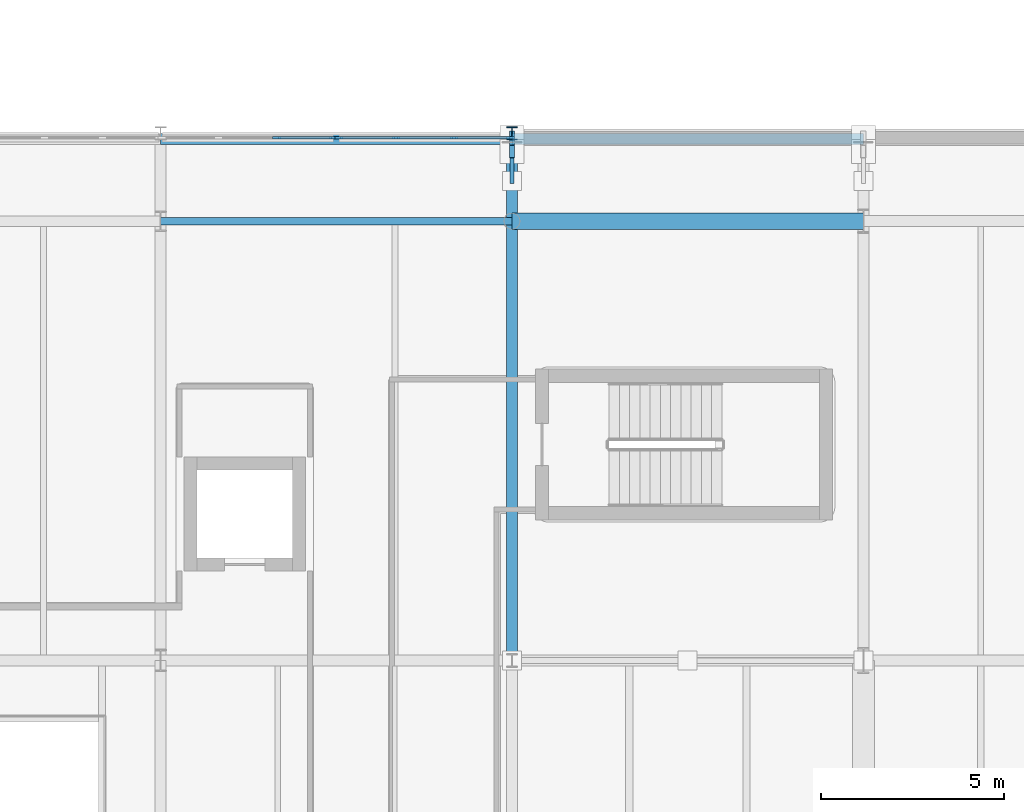
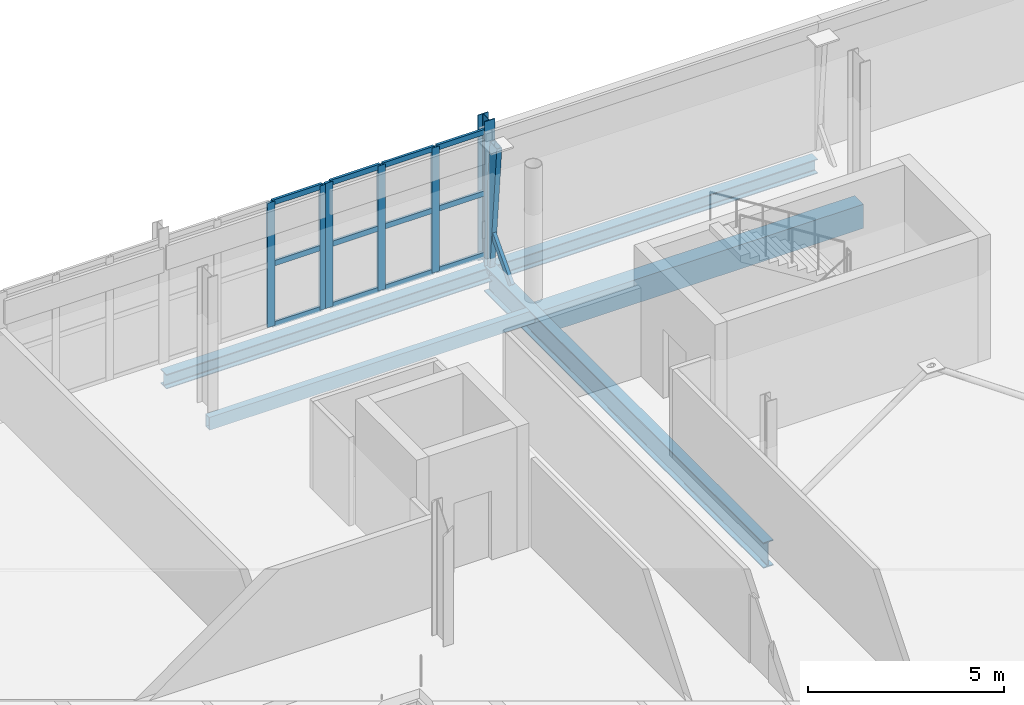
# One storey, part 32 of 90: 21 members, 5 beams, 2 elements without a shape of their own.
"""IFC4 building model written with IfcOpenShell, lengths in metres."""

from ifc_helpers import new_model, si_unit, direction, frame, origin, origin_2d, place, context, subcontext, project, spatial, rectangle, hollow_rectangle, i_section, extrude, material, layer, layer_set, material_profile, profile_set, type_object, element, aggregate, save


model = new_model("IFC4")

# Units and contexts
model_context = context("Model", 3, precision=1e-05, world=origin(), true_north=direction((0.0, 1.0)))
body_context = subcontext(model_context, "Body", "Model", "MODEL_VIEW")
ifc_project = project(units=[si_unit("LENGTHUNIT", "METRE"), si_unit("AREAUNIT", "SQUARE_METRE"), si_unit("VOLUMEUNIT", "CUBIC_METRE"), si_unit("PLANEANGLEUNIT", "RADIAN"), si_unit("MASSUNIT", "GRAM", prefix="KILO")], contexts=[model_context])

# Site, building, storey
site_placement = place(None, origin())
site = spatial("IfcSite", under=ifc_project, at=site_placement, CompositionType="ELEMENT")
building_placement = place(site_placement, origin())
building = spatial("IfcBuilding", under=site, at=building_placement, Name="Zereglee Splitstone Museum", CompositionType="ELEMENT")
storey_placement = place(building_placement, frame((0.0, 0.0, 4.800048828125)))
storey = spatial("IfcBuildingStorey", under=building, at=storey_placement, Name="L01", CompositionType="ELEMENT", Elevation=4.800048828125)

# Curtain wall, members
ifc_material_1 = material(Name="Triple-glazed low-E argon glass and bronze-anodised aluminium", Category="aluminium")
ifc_layer_1 = layer(ifc_material_1, 0.219970703125)
ifc_layer_set_1 = layer_set([ifc_layer_1], Name="Triple-glazed low-E argon glass and bronze-anodised aluminium")
curtain_wall_type_1 = type_object("IfcCurtainWallType", Name="CW-0476-390", PredefinedType="USERDEFINED", material=ifc_layer_set_1)
curtain_wall_1_placement = place(storey_placement, origin())
curtain_wall_1 = element("IfcCurtainWall", 1, at=curtain_wall_1_placement, inside=storey, type_object=curtain_wall_type_1, Name="Glazed Curtain Wall CW-0476-390 (L01)", ObjectType="GLAZED CURTAIN WALL", PredefinedType="USERDEFINED")
ifc_material_2 = material(Name="Thermally broken bronze-anodised aluminium", Category="aluminium")
ifc_material_profile_1 = material_profile(ifc_material_2, rectangle(XDim=0.074951171875, YDim=0.219970703125, at=origin_2d()), Name="CW MULL 75x220")
ifc_profile_set_1 = profile_set([ifc_material_profile_1], Name="Thermally broken bronze-anodised aluminium")
member_type_1 = type_object("IfcMemberType", Name="CWM-02", PredefinedType="MULLION", material=ifc_profile_set_1)
member_1_placement = place(storey_placement, frame((125.96240234375, 52.679931640625, 0.0), z_axis=(0.0, 0.0, 1.0), x_axis=(0.0, -1.0, 0.0)))
member_1 = element("IfcMember", 2, at=member_1_placement, type_object=member_type_1, Name="CW-0476-390 mullion 1", PredefinedType="MULLION", context=body_context, shape_type="SweptSolid", body=[
    extrude(rectangle(XDim=0.074951171875, YDim=0.219970703125, at=origin_2d()), origin(), (0.0, 0.0, 1.0), 3.89990234375),
])
member_2_placement = place(storey_placement, frame((124.413330078125, 52.679931640625, 0.0), z_axis=(0.0, 0.0, 1.0), x_axis=(0.0, -1.0, 0.0)))
member_2 = element("IfcMember", 3, at=member_2_placement, type_object=member_type_1, Name="CW-0476-390 mullion 2", PredefinedType="MULLION", context=body_context, shape_type="SweptSolid", body=[
    extrude(rectangle(XDim=0.074951171875, YDim=0.219970703125, at=origin_2d()), origin(), (0.0, 0.0, 1.0), 3.89990234375),
])
member_3_placement = place(storey_placement, frame((122.82666015625, 52.679931640625, 0.0), z_axis=(0.0, 0.0, 1.0), x_axis=(0.0, -1.0, 0.0)))
member_3 = element("IfcMember", 4, at=member_3_placement, type_object=member_type_1, Name="CW-0476-390 mullion 3", PredefinedType="MULLION", context=body_context, shape_type="SweptSolid", body=[
    extrude(rectangle(XDim=0.074951171875, YDim=0.219970703125, at=origin_2d()), origin(), (0.0, 0.0, 1.0), 3.89990234375),
])
member_4_placement = place(storey_placement, frame((121.277587890625, 52.679931640625, 0.0), z_axis=(0.0, 0.0, 1.0), x_axis=(0.0, -1.0, 0.0)))
member_4 = element("IfcMember", 5, at=member_4_placement, type_object=member_type_1, Name="CW-0476-390 mullion 4", PredefinedType="MULLION", context=body_context, shape_type="SweptSolid", body=[
    extrude(rectangle(XDim=0.074951171875, YDim=0.219970703125, at=origin_2d()), origin(), (0.0, 0.0, 1.0), 3.89990234375),
])

ifc_layer_2 = layer(ifc_material_1, 0.219970703125)
ifc_layer_set_2 = layer_set([ifc_layer_2], Name="Triple-glazed low-E argon glass and bronze-anodised aluminium")
curtain_wall_type_2 = type_object("IfcCurtainWallType", Name="CW-0476-388", PredefinedType="USERDEFINED", material=ifc_layer_set_2)
curtain_wall_2_placement = place(storey_placement, origin())
curtain_wall_2 = element("IfcCurtainWall", 6, at=curtain_wall_2_placement, inside=storey, type_object=curtain_wall_type_2, Name="Glazed Curtain Wall CW-0476-388 (L01)", ObjectType="GLAZED CURTAIN WALL", PredefinedType="USERDEFINED")
member_5_placement = place(storey_placement, frame((121.12255859375, 52.679931640625, 0.0), z_axis=(0.0, 0.0, 1.0), x_axis=(0.0, -1.0, 0.0)))
member_5 = element("IfcMember", 7, at=member_5_placement, type_object=member_type_1, Name="CW-0476-388 mullion 1", PredefinedType="MULLION", context=body_context, shape_type="SweptSolid", body=[
    extrude(rectangle(XDim=0.074951171875, YDim=0.219970703125, at=origin_2d()), origin(), (0.0, 0.0, 1.0), 3.8798828125),
])
member_6_placement = place(storey_placement, frame((119.5732421875, 52.679931640625, 0.0), z_axis=(0.0, 0.0, 1.0), x_axis=(0.0, -1.0, 0.0)))
member_6 = element("IfcMember", 8, at=member_6_placement, type_object=member_type_1, Name="CW-0476-388 mullion 2", PredefinedType="MULLION", context=body_context, shape_type="SweptSolid", body=[
    extrude(rectangle(XDim=0.074951171875, YDim=0.219970703125, at=origin_2d()), origin(), (0.0, 0.0, 1.0), 3.8798828125),
])

# Member
ifc_material_profile_2 = material_profile(ifc_material_2, rectangle(XDim=0.074951171875, YDim=0.1650390625, at=origin_2d()), Name="CW TRAN 75x165")
ifc_profile_set_2 = profile_set([ifc_material_profile_2], Name="Thermally broken bronze-anodised aluminium")
member_type_2 = type_object("IfcMemberType", Name="CWT-02", PredefinedType="USERDEFINED", material=ifc_profile_set_2)
member_7_placement = place(storey_placement, frame((125.925048828125, 52.679931640625, 0.037353515625), z_axis=(-1.0, 0.0, 0.0), x_axis=(0.0, -1.0, 0.0)))
member_7 = element("IfcMember", 9, at=member_7_placement, type_object=member_type_2, Name="CW-0476-390 transom 1.1", ObjectType="TRANSOM", PredefinedType="USERDEFINED", context=body_context, shape_type="SweptSolid", body=[
    extrude(rectangle(XDim=0.074951171875, YDim=0.1650390625, at=origin_2d()), origin(), (0.0, 0.0, 1.0), 1.47412109375),
])

member_8_placement = place(storey_placement, frame((125.925048828125, 52.679931640625, 1.949951171875), z_axis=(-1.0, 0.0, 0.0), x_axis=(0.0, -1.0, 0.0)))
member_8 = element("IfcMember", 10, at=member_8_placement, type_object=member_type_2, Name="CW-0476-390 transom 1.2", ObjectType="TRANSOM", PredefinedType="USERDEFINED", context=body_context, shape_type="SweptSolid", body=[
    extrude(rectangle(XDim=0.074951171875, YDim=0.1650390625, at=origin_2d()), origin(), (0.0, 0.0, 1.0), 1.47412109375),
])

member_9_placement = place(storey_placement, frame((125.925048828125, 52.679931640625, 3.862548828125), z_axis=(-1.0, 0.0, 0.0), x_axis=(0.0, -1.0, 0.0)))
member_9 = element("IfcMember", 11, at=member_9_placement, type_object=member_type_2, Name="CW-0476-390 transom 1.3", ObjectType="TRANSOM", PredefinedType="USERDEFINED", context=body_context, shape_type="SweptSolid", body=[
    extrude(rectangle(XDim=0.074951171875, YDim=0.1650390625, at=origin_2d()), origin(), (0.0, 0.0, 1.0), 1.47412109375),
])

member_10_placement = place(storey_placement, frame((124.375732421875, 52.679931640625, 0.037353515625), z_axis=(-1.0, 0.0, 0.0), x_axis=(0.0, -1.0, 0.0)))
member_10 = element("IfcMember", 12, at=member_10_placement, type_object=member_type_2, Name="CW-0476-390 transom 2.1", ObjectType="TRANSOM", PredefinedType="USERDEFINED", context=body_context, shape_type="SweptSolid", body=[
    extrude(rectangle(XDim=0.074951171875, YDim=0.1650390625, at=origin_2d()), origin(), (0.0, 0.0, 1.0), 1.511474609375),
])

member_11_placement = place(storey_placement, frame((124.375732421875, 52.679931640625, 1.949951171875), z_axis=(-1.0, 0.0, 0.0), x_axis=(0.0, -1.0, 0.0)))
member_11 = element("IfcMember", 13, at=member_11_placement, type_object=member_type_2, Name="CW-0476-390 transom 2.2", ObjectType="TRANSOM", PredefinedType="USERDEFINED", context=body_context, shape_type="SweptSolid", body=[
    extrude(rectangle(XDim=0.074951171875, YDim=0.1650390625, at=origin_2d()), origin(), (0.0, 0.0, 1.0), 1.511474609375),
])

member_12_placement = place(storey_placement, frame((124.375732421875, 52.679931640625, 3.862548828125), z_axis=(-1.0, 0.0, 0.0), x_axis=(0.0, -1.0, 0.0)))
member_12 = element("IfcMember", 14, at=member_12_placement, type_object=member_type_2, Name="CW-0476-390 transom 2.3", ObjectType="TRANSOM", PredefinedType="USERDEFINED", context=body_context, shape_type="SweptSolid", body=[
    extrude(rectangle(XDim=0.074951171875, YDim=0.1650390625, at=origin_2d()), origin(), (0.0, 0.0, 1.0), 1.511474609375),
])

member_13_placement = place(storey_placement, frame((122.7890625, 52.679931640625, 0.037353515625), z_axis=(-1.0, 0.0, 0.0), x_axis=(0.0, -1.0, 0.0)))
member_13 = element("IfcMember", 15, at=member_13_placement, type_object=member_type_2, Name="CW-0476-390 transom 3.1", ObjectType="TRANSOM", PredefinedType="USERDEFINED", context=body_context, shape_type="SweptSolid", body=[
    extrude(rectangle(XDim=0.074951171875, YDim=0.1650390625, at=origin_2d()), origin(), (0.0, 0.0, 1.0), 1.47412109375),
])

member_14_placement = place(storey_placement, frame((122.7890625, 52.679931640625, 1.949951171875), z_axis=(-1.0, 0.0, 0.0), x_axis=(0.0, -1.0, 0.0)))
member_14 = element("IfcMember", 16, at=member_14_placement, type_object=member_type_2, Name="CW-0476-390 transom 3.2", ObjectType="TRANSOM", PredefinedType="USERDEFINED", context=body_context, shape_type="SweptSolid", body=[
    extrude(rectangle(XDim=0.074951171875, YDim=0.1650390625, at=origin_2d()), origin(), (0.0, 0.0, 1.0), 1.47412109375),
])

member_15_placement = place(storey_placement, frame((122.7890625, 52.679931640625, 3.862548828125), z_axis=(-1.0, 0.0, 0.0), x_axis=(0.0, -1.0, 0.0)))
member_15 = element("IfcMember", 17, at=member_15_placement, type_object=member_type_2, Name="CW-0476-390 transom 3.3", ObjectType="TRANSOM", PredefinedType="USERDEFINED", context=body_context, shape_type="SweptSolid", body=[
    extrude(rectangle(XDim=0.074951171875, YDim=0.1650390625, at=origin_2d()), origin(), (0.0, 0.0, 1.0), 1.47412109375),
])

aggregate(curtain_wall_1, [member_1, member_2, member_3, member_4, member_7, member_8, member_9, member_10, member_11, member_12, member_13, member_14, member_15])

member_16_placement = place(storey_placement, frame((121.0849609375, 52.679931640625, 0.037353515625), z_axis=(-1.0, 0.0, 0.0), x_axis=(0.0, -1.0, 0.0)))
member_16 = element("IfcMember", 18, at=member_16_placement, type_object=member_type_2, Name="CW-0476-388 transom 1.1", ObjectType="TRANSOM", PredefinedType="USERDEFINED", context=body_context, shape_type="SweptSolid", body=[
    extrude(rectangle(XDim=0.074951171875, YDim=0.1650390625, at=origin_2d()), origin(), (0.0, 0.0, 1.0), 1.47412109375),
])

member_17_placement = place(storey_placement, frame((121.0849609375, 52.679931640625, 1.93994140625), z_axis=(-1.0, 0.0, 0.0), x_axis=(0.0, -1.0, 0.0)))
member_17 = element("IfcMember", 19, at=member_17_placement, type_object=member_type_2, Name="CW-0476-388 transom 1.2", ObjectType="TRANSOM", PredefinedType="USERDEFINED", context=body_context, shape_type="SweptSolid", body=[
    extrude(rectangle(XDim=0.074951171875, YDim=0.1650390625, at=origin_2d()), origin(), (0.0, 0.0, 1.0), 1.47412109375),
])

member_18_placement = place(storey_placement, frame((121.0849609375, 52.679931640625, 3.842529296875), z_axis=(-1.0, 0.0, 0.0), x_axis=(0.0, -1.0, 0.0)))
member_18 = element("IfcMember", 20, at=member_18_placement, type_object=member_type_2, Name="CW-0476-388 transom 1.3", ObjectType="TRANSOM", PredefinedType="USERDEFINED", context=body_context, shape_type="SweptSolid", body=[
    extrude(rectangle(XDim=0.074951171875, YDim=0.1650390625, at=origin_2d()), origin(), (0.0, 0.0, 1.0), 1.47412109375),
])

aggregate(curtain_wall_2, [member_5, member_6, member_16, member_17, member_18])

ifc_material_3 = material(Name="Steel S355J2", Category="steel")
ifc_material_profile_3 = material_profile(ifc_material_3, i_section(OverallWidth=0.300048828125, OverallDepth=0.360107421875, WebThickness=0.012451171875, FlangeThickness=0.0224609375, FilletRadius=0.027099609375, at=origin_2d()), Name="HE 360 B")
ifc_profile_set_3 = profile_set([ifc_material_profile_3], Name="Steel S355J2")
member_type_3 = type_object("IfcMemberType", Name="TC-06", PredefinedType="CHORD", material=ifc_profile_set_3)
member_19_placement = place(storey_placement, frame((126.0, 52.800048828125, -0.35009765625), z_axis=(0.0, 0.0, 1.0), x_axis=(1.0, 0.0, 0.0)))
element("IfcMember", 21, at=member_19_placement, inside=storey, type_object=member_type_3, Name="Mughal Guldasta Hovering Portal Pier G12 L01", PredefinedType="CHORD", context=body_context, shape_type="SweptSolid", body=[
    extrude(i_section(OverallWidth=0.300048828125, OverallDepth=0.360107421875, WebThickness=0.012451171875, FlangeThickness=0.0224609375, FilletRadius=0.027099609375, at=origin_2d()), origin(), (0.0, 0.0, 1.0), 4.550048828125),
])

# Beams
ifc_material_profile_4 = material_profile(ifc_material_3, i_section(OverallWidth=0.300048828125, OverallDepth=0.800048828125, WebThickness=0.017578125, FlangeThickness=0.032958984375, FilletRadius=0.030029296875, at=origin_2d()), Name="HE 800 B")
ifc_profile_set_4 = profile_set([ifc_material_profile_4], Name="Steel S355J2")
beam_type_1 = type_object("IfcBeamType", Name="BG-07", PredefinedType="BEAM", material=ifc_profile_set_4)
beam_1_placement = place(storey_placement, frame((126.0, 38.39990234375, -0.699951171875), z_axis=(0.0, 1.0, 0.0), x_axis=(-1.0, 0.0, 0.0)))
element("IfcBeam", 22, at=beam_1_placement, inside=storey, type_object=beam_type_1, Name="Primary Girder L01 15 (38.4-52.6)", PredefinedType="BEAM", context=body_context, shape_type="SweptSolid", body=[
    extrude(i_section(OverallWidth=0.300048828125, OverallDepth=0.800048828125, WebThickness=0.017578125, FlangeThickness=0.032958984375, FilletRadius=0.030029296875, at=origin_2d()), origin(), (0.0, 0.0, 1.0), 14.25),
])
ifc_material_profile_5 = material_profile(ifc_material_3, i_section(OverallWidth=0.300048828125, OverallDepth=0.449951171875, WebThickness=0.013916015625, FlangeThickness=0.02587890625, FilletRadius=0.027099609375, at=origin_2d()), Name="HE 450 B")
ifc_profile_set_5 = profile_set([ifc_material_profile_5], Name="Steel S355J2")
beam_type_2 = type_object("IfcBeamType", Name="SP-02", PredefinedType="SPANDREL", material=ifc_profile_set_5)
for number, where, z_axis, x_axis, name in (
    (23, (116.39990234375, 52.64990234375, -0.525146484375), (1.0, 0.0, 0.0), (0.0, 1.0, 0.0), "Hovering Soffit Spandrel L01 (116.4-126.0)"),
    (24, (126.0, 52.64990234375, -0.525146484375), (1.0, 0.0, 0.0), (0.0, 1.0, 0.0), "Hovering Soffit Spandrel L01 (126.0-135.6)"),
):
    element("IfcBeam", number, at=place(storey_placement, frame(where, z_axis=z_axis, x_axis=x_axis)), inside=storey, type_object=beam_type_2, Name=name, PredefinedType="SPANDREL", context=body_context, shape_type="SweptSolid", body=[
        extrude(i_section(OverallWidth=0.300048828125, OverallDepth=0.449951171875, WebThickness=0.013916015625, FlangeThickness=0.02587890625, FilletRadius=0.027099609375, at=origin_2d()), origin(), (0.0, 0.0, 1.0), 9.60009765625),
    ])
ifc_material_4 = material(Name="Concrete C40/50", Category="concrete")
ifc_material_profile_6 = material_profile(ifc_material_4, rectangle(XDim=0.449951171875, YDim=0.75, at=origin_2d()), Name="RC 450x750")
ifc_profile_set_6 = profile_set([ifc_material_profile_6], Name="Concrete C40/50")
beam_type_3 = type_object("IfcBeamType", Name="SP-01", PredefinedType="SPANDREL", material=ifc_profile_set_6)
beam_2_placement = place(storey_placement, frame((126.0, 50.39990234375, -0.675048828125), z_axis=(1.0, 0.0, 0.0), x_axis=(0.0, 1.0, 0.0)))
element("IfcBeam", 25, at=beam_2_placement, inside=storey, type_object=beam_type_3, Name="Primary Girder L01 F (126.0-135.6)", PredefinedType="SPANDREL", context=body_context, shape_type="SweptSolid", body=[
    extrude(rectangle(XDim=0.449951171875, YDim=0.75, at=origin_2d()), origin(), (0.0, 0.0, 1.0), 9.60009765625),
])
ifc_material_5 = material(Name="Steel S355J2H", Category="steel")
ifc_material_profile_7 = material_profile(ifc_material_5, hollow_rectangle(XDim=0.199951171875, YDim=0.39990234375, WallThickness=0.01611328125, at=origin_2d()), Name="RHS 400x200x16")
ifc_profile_set_7 = profile_set([ifc_material_profile_7], Name="Steel S355J2H")
beam_type_4 = type_object("IfcBeamType", Name="SP-04", PredefinedType="SPANDREL", material=ifc_profile_set_7)
beam_3_placement = place(storey_placement, frame((116.39990234375, 50.39990234375, -0.5), z_axis=(1.0, 0.0, 0.0), x_axis=(0.0, 1.0, 0.0)))
element("IfcBeam", 26, at=beam_3_placement, inside=storey, type_object=beam_type_4, Name="Primary Girder L01 F (116.4-126.0)", PredefinedType="SPANDREL", context=body_context, shape_type="SweptSolid", body=[
    extrude(hollow_rectangle(XDim=0.199951171875, YDim=0.39990234375, WallThickness=0.01611328125, at=origin_2d()), origin(), (0.0, 0.0, 1.0), 9.60009765625),
])

# Members
ifc_material_profile_8 = material_profile(ifc_material_5, hollow_rectangle(XDim=0.14990234375, YDim=0.35009765625, WallThickness=0.012451171875, at=origin_2d()), Name="RHS 350x150x12.5")
ifc_profile_set_8 = profile_set([ifc_material_profile_8], Name="Steel S355J2H")
member_type_4 = type_object("IfcMemberType", Name="FS-R0", PredefinedType="STRUT", material=ifc_profile_set_8)
member_20_placement = place(storey_placement, frame((126.0, 52.6865234375, -0.550048828125), z_axis=(0.0, -0.090913341279, 0.995858807451), x_axis=(1.0, 0.0, 0.0)))
element("IfcMember", 27, at=member_20_placement, inside=storey, type_object=member_type_4, Name="Split-Rock Continuous Facet Strut FH-V2NE L01-01", PredefinedType="STRUT", context=body_context, shape_type="SweptSolid", body=[
    extrude(hollow_rectangle(XDim=0.14990234375, YDim=0.35009765625, WallThickness=0.012451171875, at=origin_2d()), origin(), (0.0, 0.0, 1.0), 4.197265625),
])
ifc_material_profile_9 = material_profile(ifc_material_5, hollow_rectangle(XDim=0.10009765625, YDim=0.179931640625, WallThickness=0.008056640625, at=origin_2d()), Name="RHS 180x100x8")
ifc_profile_set_9 = profile_set([ifc_material_profile_9], Name="Steel S355J2H")
member_type_5 = type_object("IfcMemberType", Name="FS-T2", PredefinedType="STRUT", material=ifc_profile_set_9)
member_21_placement = place(storey_placement, frame((126.0, 51.5, -0.260009765625), z_axis=(0.0, 0.67257975444, 0.740024644128), x_axis=(-1.0, 0.0, 0.0)))
element("IfcMember", 28, at=member_21_placement, inside=storey, type_object=member_type_5, Name="Facet Tie-Back Strut FH-V2NE L01-01", PredefinedType="STRUT", context=body_context, shape_type="SweptSolid", body=[
    extrude(hollow_rectangle(XDim=0.10009765625, YDim=0.179931640625, WallThickness=0.008056640625, at=origin_2d()), origin(), (0.0, 0.0, 1.0), 1.5673828125),
])

save(model, "model.ifc")
